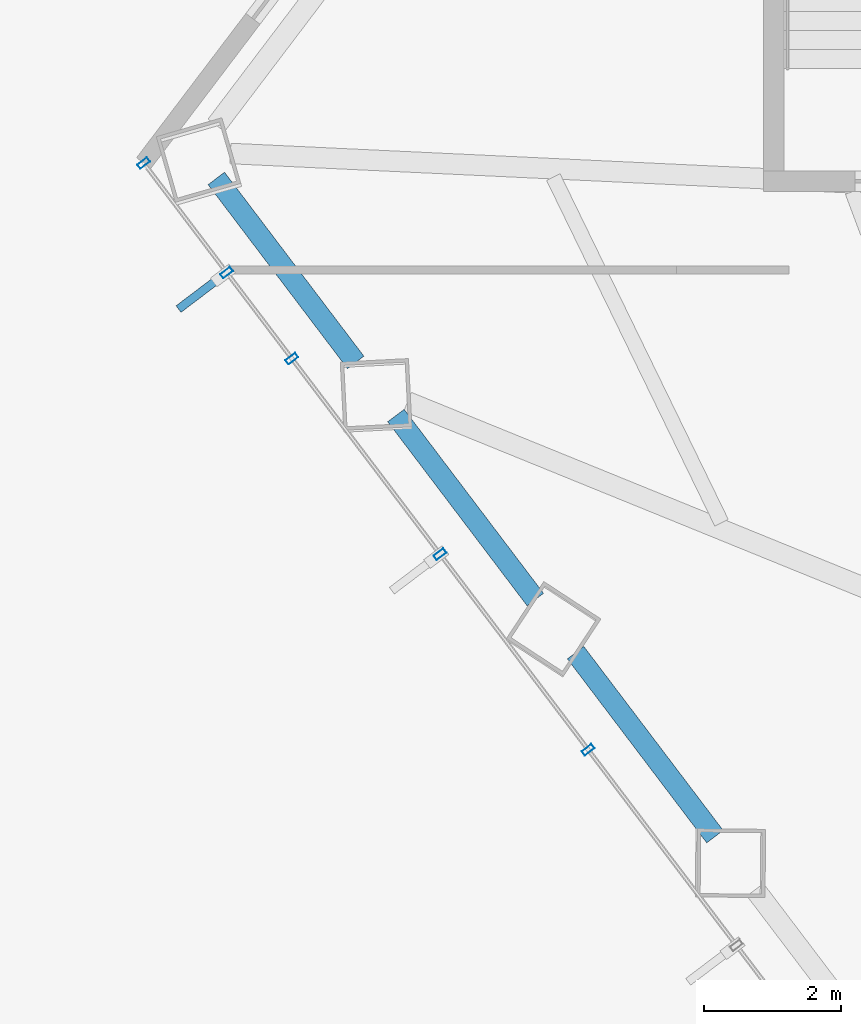
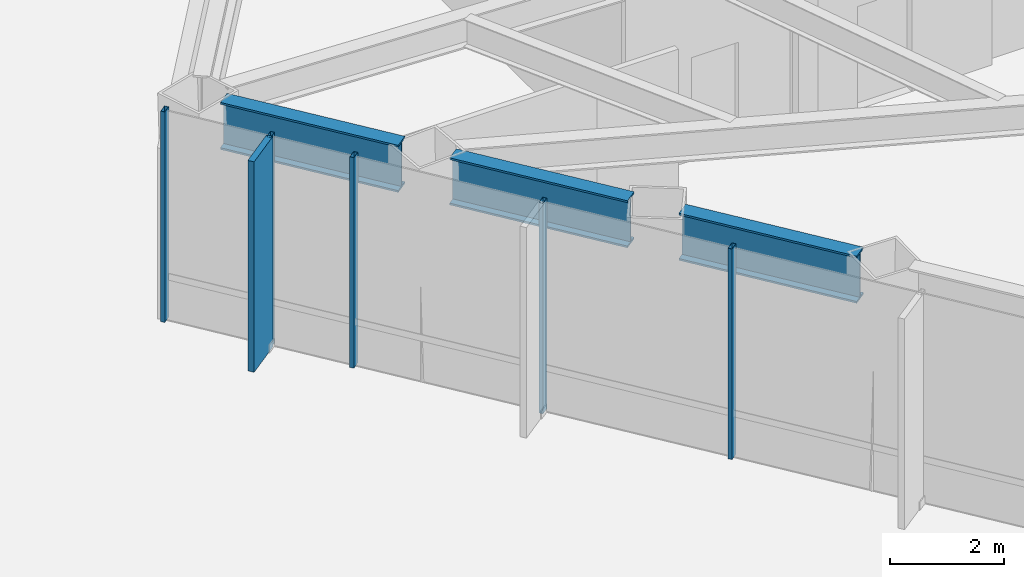
# One storey, part 4 of 30: 6 members, 3 beams, 1 element without a shape of its own.
"""IFC4 building model written with IfcOpenShell, lengths in metres."""

from ifc_helpers import new_model, si_unit, direction, frame, origin, origin_2d, place, context, subcontext, project, spatial, rectangle, hollow_rectangle, i_section, extrude, material, layer, layer_set, material_profile, profile_set, type_object, element, aggregate, save


model = new_model("IFC4")

# Units and contexts
model_context = context("Model", 3, precision=1e-05, world=origin(), true_north=direction((0.0, 1.0)))
body_context = subcontext(model_context, "Body", "Model", "MODEL_VIEW")
ifc_project = project(units=[si_unit("LENGTHUNIT", "METRE"), si_unit("AREAUNIT", "SQUARE_METRE"), si_unit("VOLUMEUNIT", "CUBIC_METRE"), si_unit("PLANEANGLEUNIT", "RADIAN"), si_unit("MASSUNIT", "GRAM", prefix="KILO")], contexts=[model_context])

# Site, building, storey
site_placement = place(None, origin())
site = spatial("IfcSite", under=ifc_project, at=site_placement, CompositionType="ELEMENT")
building_placement = place(site_placement, origin())
building = spatial("IfcBuilding", under=site, at=building_placement, Name="Zarrinselat Tower", CompositionType="ELEMENT")
storey_placement = place(building_placement, frame((0.0, 0.0, 22.780029296875)))
storey = spatial("IfcBuildingStorey", under=building, at=storey_placement, Name="L05", CompositionType="ELEMENT", Elevation=22.780029296875)

# Beams
ifc_material_1 = material(Name="Steel S460M", Category="steel")
ifc_material_profile_1 = material_profile(ifc_material_1, i_section(OverallWidth=0.302001953125, OverallDepth=1.008056640625, WebThickness=0.02099609375, FlangeThickness=0.0400390625, at=origin_2d()), Name="HEM 1000")
ifc_profile_set_1 = profile_set([ifc_material_profile_1], Name="Steel S460M")
beam_type = type_object("IfcBeamType", Name="BM-HEM1000", PredefinedType="BEAM", material=ifc_profile_set_1)
beam_1_placement = place(storey_placement, frame((17.06298828125, 33.342529296875, 3.995849609375), z_axis=(0.603852126588, -0.797096361311, 0.0), x_axis=(0.797096361311, 0.603852126588, 0.0)))
element("IfcBeam", 1, at=beam_1_placement, inside=storey, type_object=beam_type, Name="L05 Perimeter Spandrel Girder SP06", PredefinedType="BEAM", context=body_context, shape_type="SweptSolid", body=[
    extrude(i_section(OverallWidth=0.302001953125, OverallDepth=1.008056640625, WebThickness=0.02099609375, FlangeThickness=0.0400390625, at=origin_2d()), origin(), (0.0, 0.0, 1.0), 3.380859375),
])
beam_2_placement = place(storey_placement, frame((19.69384765625, 29.86962890625, 3.995849609375), z_axis=(0.603806241613, -0.797131120073, 0.0), x_axis=(0.797131120073, 0.603806241613, 0.0)))
element("IfcBeam", 2, at=beam_2_placement, inside=storey, type_object=beam_type, Name="L05 Perimeter Spandrel Girder SP07", PredefinedType="BEAM", context=body_context, shape_type="SweptSolid", body=[
    extrude(i_section(OverallWidth=0.302001953125, OverallDepth=1.008056640625, WebThickness=0.02099609375, FlangeThickness=0.0400390625, at=origin_2d()), origin(), (0.0, 0.0, 1.0), 3.380615234375),
])
beam_3_placement = place(storey_placement, frame((22.32470703125, 26.39697265625, 3.995849609375), z_axis=(0.603852126588, -0.797096361311, 0.0), x_axis=(0.797096361311, 0.603852126588, 0.0)))
element("IfcBeam", 3, at=beam_3_placement, inside=storey, type_object=beam_type, Name="L05 Perimeter Spandrel Girder SP08", PredefinedType="BEAM", context=body_context, shape_type="SweptSolid", body=[
    extrude(i_section(OverallWidth=0.302001953125, OverallDepth=1.008056640625, WebThickness=0.02099609375, FlangeThickness=0.0400390625, at=origin_2d()), origin(), (0.0, 0.0, 1.0), 3.380859375),
])

# Curtain wall, members
ifc_material_2 = material(Name="Extruded Aluminium Alloy EN AW-6063 T6", Category="aluminium")
ifc_layer = layer(ifc_material_2, 0.195068359375)
ifc_layer_set = layer_set([ifc_layer], Name="Extruded Aluminium Alloy EN AW-6063 T6")
curtain_wall_type = type_object("IfcCurtainWallType", Name="CWS-GDN", PredefinedType="NOTDEFINED", material=ifc_layer_set)
curtain_wall_placement = place(storey_placement, origin())
curtain_wall = element("IfcCurtainWall", 4, at=curtain_wall_placement, inside=storey, type_object=curtain_wall_type, Name="L05 Unitised Curtain Wall CW-L05-E03", PredefinedType="NOTDEFINED")
ifc_material_3 = material(Name="Extruded Aluminium Alloy EN AW-6063 T6", Category="aluminium")
ifc_material_profile_2 = material_profile(ifc_material_3, hollow_rectangle(XDim=0.080078125, YDim=0.179931640625, WallThickness=0.0048828125, at=origin_2d()), Name="RHS 180x80x5")
ifc_profile_set_2 = profile_set([ifc_material_profile_2], Name="Extruded Aluminium Alloy EN AW-6063 T6")
member_type_1 = type_object("IfcMemberType", Name="MEM-CW-MUL", PredefinedType="MULLION", material=ifc_profile_set_2)
member_1_placement = place(storey_placement, frame((16.0, 33.568115234375, 0.0), z_axis=(0.0, 0.0, 1.0), x_axis=(0.603857687995, -0.797092148154, 0.0)))
member_1 = element("IfcMember", 5, at=member_1_placement, type_object=member_type_1, Name="CW-L05-E03 Mullion 0", PredefinedType="MULLION", context=body_context, shape_type="SweptSolid", body=[
    extrude(hollow_rectangle(XDim=0.080078125, YDim=0.179931640625, WallThickness=0.0048828125, at=origin_2d()), origin(), (0.0, 0.0, 1.0), 4.5),
])
member_2_placement = place(storey_placement, frame((17.21533203125, 31.963623046875, 0.0), z_axis=(0.0, 0.0, 1.0), x_axis=(0.603857687995, -0.797092148154, 0.0)))
member_2 = element("IfcMember", 6, at=member_2_placement, type_object=member_type_1, Name="CW-L05-E03 Mullion 1", PredefinedType="MULLION", context=body_context, shape_type="SweptSolid", body=[
    extrude(hollow_rectangle(XDim=0.080078125, YDim=0.179931640625, WallThickness=0.0048828125, at=origin_2d()), origin(), (0.0, 0.0, 1.0), 4.5),
])
member_3_placement = place(storey_placement, frame((18.169921875, 30.70361328125, 0.0), z_axis=(0.0, 0.0, 1.0), x_axis=(0.603857687995, -0.797092148154, 0.0)))
member_3 = element("IfcMember", 7, at=member_3_placement, type_object=member_type_1, Name="CW-L05-E03 Mullion 2", PredefinedType="MULLION", context=body_context, shape_type="SweptSolid", body=[
    extrude(hollow_rectangle(XDim=0.080078125, YDim=0.179931640625, WallThickness=0.0048828125, at=origin_2d()), origin(), (0.0, 0.0, 1.0), 4.5),
])
member_4_placement = place(storey_placement, frame((20.340087890625, 27.839111328125, 0.0), z_axis=(0.0, 0.0, 1.0), x_axis=(0.603857687995, -0.797092148154, 0.0)))
member_4 = element("IfcMember", 8, at=member_4_placement, type_object=member_type_1, Name="CW-L05-E03 Mullion 3", PredefinedType="MULLION", context=body_context, shape_type="SweptSolid", body=[
    extrude(hollow_rectangle(XDim=0.080078125, YDim=0.179931640625, WallThickness=0.0048828125, at=origin_2d()), origin(), (0.0, 0.0, 1.0), 4.5),
])
member_5_placement = place(storey_placement, frame((22.510009765625, 24.974853515625, 0.0), z_axis=(0.0, 0.0, 1.0), x_axis=(0.603857687995, -0.797092148154, 0.0)))
member_5 = element("IfcMember", 9, at=member_5_placement, type_object=member_type_1, Name="CW-L05-E03 Mullion 4", PredefinedType="MULLION", context=body_context, shape_type="SweptSolid", body=[
    extrude(hollow_rectangle(XDim=0.080078125, YDim=0.179931640625, WallThickness=0.0048828125, at=origin_2d()), origin(), (0.0, 0.0, 1.0), 4.5),
])
ifc_material_4 = material(Name="Honed Cream Travertine Stone", Category="masonry")
ifc_material_profile_3 = material_profile(ifc_material_4, rectangle(XDim=0.1201171875, YDim=0.85009765625, at=origin_2d()), Name="FIN 850x120")
ifc_profile_set_3 = profile_set([ifc_material_profile_3], Name="Honed Cream Travertine Stone")
member_type_2 = type_object("IfcMemberType", Name="MEM-STONE-FIN", PredefinedType="USERDEFINED", material=ifc_profile_set_3)
member_6_placement = place(storey_placement, frame((16.8486328125, 31.685791015625, 0.0), z_axis=(0.0, 0.0, 1.0), x_axis=(-0.603857687995, 0.797092148154, 0.0)))
member_6 = element("IfcMember", 10, at=member_6_placement, type_object=member_type_2, Name="L05 Stone Shading Fin CW-L05-E03-01", ObjectType="FIN", PredefinedType="USERDEFINED", context=body_context, shape_type="SweptSolid", body=[
    extrude(rectangle(XDim=0.1201171875, YDim=0.85009765625, at=origin_2d()), origin(), (0.0, 0.0, 1.0), 4.5),
])
aggregate(curtain_wall, [member_1, member_2, member_6, member_3, member_4, member_5])

save(model, "model.ifc")
